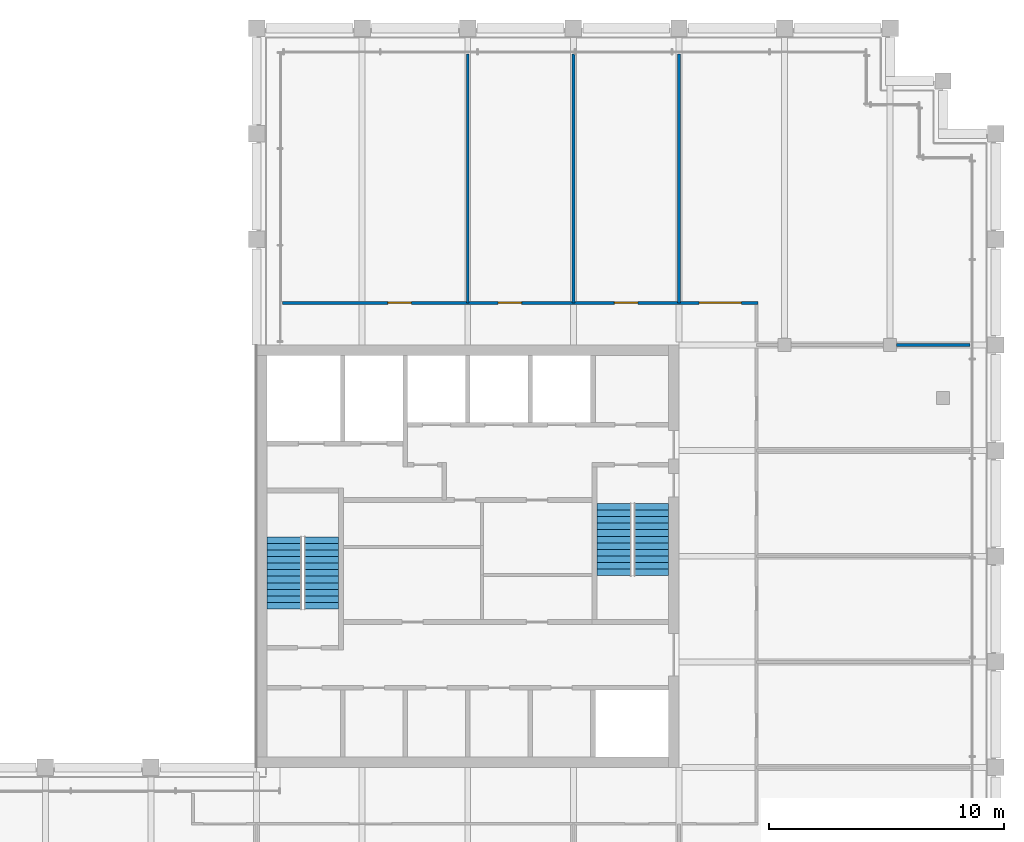
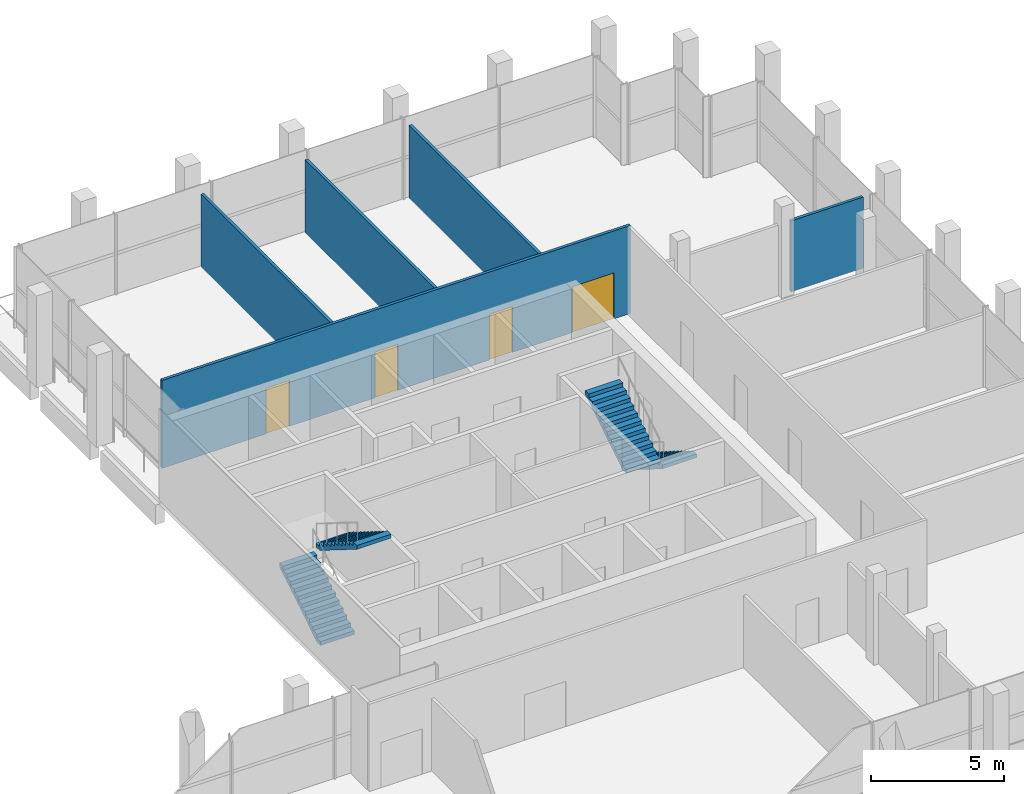
# One storey, part 16 of 17: 5 walls, 4 doors, 4 stair flights, 4 openings, 2 elements without a shape of their own.
"""IFC4 building model written with IfcOpenShell, lengths in metres."""

import ifcopenshell
import ifcopenshell.guid

model = None  # the IFC model being written
_history = None  # IfcOwnerHistory: only IFC2X3 demands one
_inside = {}  # id of a spatial element -> (the spatial element, [elements in it])
_under = {}  # id of a project, library or spatial element -> (it, [spatial elements below it])
_declared = {}  # id of a project -> (the project, [libraries it declares])
_typed = {}  # id of a type object -> (the type object, [elements of that type])
_made_of = {}  # id of a material, layer set ... -> (it, [elements and type objects made of it])


def new_model(schema):
    """Start an empty IFC model of exactly this schema.

    Asked for "IFC4X3", IfcOpenShell would pick the latest addendum, in which some entities
    have other attributes; the version numbers below select the first issue.
    IFC2X3 requires an IfcOwnerHistory on every rooted entity: one is made here for all.
    """
    global model, _history
    if schema == "IFC4X3":
        model = ifcopenshell.file(schema_version=(4, 3, 0, 0))
    else:
        model = ifcopenshell.file(schema=schema)
    _inside.clear()
    _under.clear()
    _declared.clear()
    _typed.clear()
    _made_of.clear()
    _history = None
    if model.schema == "IFC2X3":
        org = make("IfcOrganization", Name="unknown")
        user = make(
            "IfcPersonAndOrganization",
            ThePerson=make("IfcPerson", FamilyName="unknown"),
            TheOrganization=org,
        )
        app = make(
            "IfcApplication",
            ApplicationDeveloper=org,
            Version="unknown",
            ApplicationFullName="unknown",
            ApplicationIdentifier="unknown",
        )
        _history = make(
            "IfcOwnerHistory",
            OwningUser=user,
            OwningApplication=app,
            ChangeAction="ADDED",
            CreationDate=0,
        )
    return model


def make(cls, **values):
    """One entity of the class cls with the attributes given. An attribute that is None is left unset."""
    return model.create_entity(
        cls, **{name: value for name, value in values.items() if value is not None}
    )


def rooted(cls, **values):
    """An entity with a GlobalId (a new one), such as an element, a storey or a relation."""
    return make(cls, GlobalId=ifcopenshell.guid.new(), OwnerHistory=_history, **values)


def si_unit(unit_type, name, prefix=None):
    """IfcSIUnit, for example si_unit("LENGTHUNIT", "METRE", prefix="MILLI")."""
    return make("IfcSIUnit", UnitType=unit_type, Prefix=prefix, Name=name)


def assignment(units):
    """IfcUnitAssignment: the units of a project."""
    return None if units is None else make("IfcUnitAssignment", Units=units)


def point(xyz):
    """IfcCartesianPoint."""
    return None if xyz is None else make("IfcCartesianPoint", Coordinates=xyz)


def direction(xyz):
    """IfcDirection."""
    return None if xyz is None else make("IfcDirection", DirectionRatios=xyz)


def frame(location, z_axis=None, x_axis=None):
    """IfcAxis2Placement3D, a coordinate frame: its origin and axes. An axis left out is left unset."""
    return make(
        "IfcAxis2Placement3D",
        Location=point(location),
        Axis=direction(z_axis),
        RefDirection=direction(x_axis),
    )


def frame_2d(location, x_axis=None):
    """IfcAxis2Placement2D, a coordinate frame in the plane: its origin and x axis."""
    return make(
        "IfcAxis2Placement2D", Location=point(location), RefDirection=direction(x_axis)
    )


def origin():
    """The frame at (0, 0, 0) with its axes left unset."""
    return frame((0.0, 0.0, 0.0))


def place(relative_to, where):
    """IfcLocalPlacement: puts the frame where relative to a parent placement (None: the world)."""
    return make(
        "IfcLocalPlacement", PlacementRelTo=relative_to, RelativePlacement=where
    )


def context(
    kind, dimensions, precision=None, world=None, true_north=None, identifier=None
):
    """IfcGeometricRepresentationContext, for example the 3D "Model" context."""
    return make(
        "IfcGeometricRepresentationContext",
        ContextIdentifier=identifier,
        ContextType=kind,
        CoordinateSpaceDimension=dimensions,
        Precision=precision,
        WorldCoordinateSystem=world,
        TrueNorth=true_north,
    )


def subcontext(parent, identifier, kind, view, scale=None):
    """IfcGeometricRepresentationSubContext, for example "Body" below "Model"."""
    return make(
        "IfcGeometricRepresentationSubContext",
        ContextIdentifier=identifier,
        ContextType=kind,
        ParentContext=parent,
        TargetScale=scale,
        TargetView=view,
    )


def project(units=None, contexts=None):
    """IfcProject with its units and contexts."""
    return rooted(
        "IfcProject",
        Name="project",
        RepresentationContexts=contexts,
        UnitsInContext=assignment(units),
    )


def spatial(cls, under=None, at=None, **own):
    """A site, building, storey or space (cls), placed at a placement, below another one or the project."""
    s = rooted(cls, ObjectPlacement=at, **own)
    if under is not None:
        _under.setdefault(under.id(), (under, []))[1].append(s)
    return s


def polyline(points):
    """IfcPolyline through the points."""
    return make("IfcPolyline", Points=[point(p) for p in points])


def profile(cls, at=None, kind="AREA", **sizes):
    """A parametric profile (cls). Its sizes go by their IFC names, for example OverallWidth=200.0."""
    return make(cls, ProfileType=kind, Position=at, **sizes)


def rectangle(**sizes):
    """IfcRectangleProfileDef."""
    return profile("IfcRectangleProfileDef", **sizes)


def outline(outer, holes=None, kind="AREA"):
    """IfcArbitraryClosedProfileDef: a profile drawn as a closed curve; with holes, ...WithVoids."""
    if holes is None:
        return make("IfcArbitraryClosedProfileDef", ProfileType=kind, OuterCurve=outer)
    return make(
        "IfcArbitraryProfileDefWithVoids",
        ProfileType=kind,
        OuterCurve=outer,
        InnerCurves=holes,
    )


def extrude(swept, where, along, depth):
    """IfcExtrudedAreaSolid: the profile swept, set in the frame where, extruded along a direction by depth."""
    return make(
        "IfcExtrudedAreaSolid",
        SweptArea=swept,
        Position=where,
        ExtrudedDirection=direction(along),
        Depth=depth,
    )


def shape(context_of_items, identifier, shape_type, items):
    """IfcShapeRepresentation: the items that make up one representation, for example the "Body"."""
    return make(
        "IfcShapeRepresentation",
        ContextOfItems=context_of_items,
        RepresentationIdentifier=identifier,
        RepresentationType=shape_type,
        Items=items,
    )


def material(Name=None, Category=None):
    """IfcMaterial."""
    return make("IfcMaterial", Name=Name, Category=Category)


def layer(
    of_material, thickness, ventilated=None, Name=None, Category=None, Priority=None
):
    """IfcMaterialLayer: one layer of a wall or slab, of a material (None: an air gap)."""
    return make(
        "IfcMaterialLayer",
        Material=of_material,
        LayerThickness=thickness,
        IsVentilated=ventilated,
        Name=Name,
        Category=Category,
        Priority=Priority,
    )


def layer_set(layers, Name=None):
    """IfcMaterialLayerSet."""
    return make("IfcMaterialLayerSet", MaterialLayers=layers, LayerSetName=Name)


def made_of(thing, what):
    """Note that an element or type object is made of a material, layer set ...; save() writes the relation."""
    if what is not None:
        _made_of.setdefault(what.id(), (what, []))[1].append(thing)
    return thing


def type_object(cls, material=None, **own):
    """A type object (cls), such as IfcWallType, which elements share."""
    return made_of(rooted(cls, **own), material)


def element(
    cls,
    number,
    at=None,
    inside=None,
    cuts=None,
    type_object=None,
    material=None,
    context=None,
    identifier="Body",
    shape_type=None,
    held_by="IfcProductDefinitionShape",
    body=None,
    shapes=None,
    **own,
):
    """One element of the class cls, such as IfcWall. Its Tag is "e" and its number.

    at: its placement. inside: the storey or other place that contains it. cuts: it is an
    opening in that element (IfcRelVoidsElement). A single representation is given by context,
    identifier, shape_type and body (its items); several are given by shapes. held_by: the class
    of the entity that holds the representations. save() writes the other relations.
    """
    e = rooted(cls, Tag="e%d" % number, ObjectPlacement=at, **own)
    if body is not None:
        shapes = [shape(context, identifier, shape_type, body)]
    if shapes is not None:
        e.Representation = make(held_by, Representations=shapes)
    if inside is not None:
        _inside.setdefault(inside.id(), (inside, []))[1].append(e)
    if cuts is not None:
        rooted(
            "IfcRelVoidsElement", RelatingBuildingElement=cuts, RelatedOpeningElement=e
        )
    if type_object is not None:
        _typed.setdefault(type_object.id(), (type_object, []))[1].append(e)
    return made_of(e, material)


def fill(opening, filler):
    """IfcRelFillsElement: the door or window that sits in an opening."""
    return rooted(
        "IfcRelFillsElement",
        RelatingOpeningElement=opening,
        RelatedBuildingElement=filler,
    )


def aggregate(whole, parts):
    """IfcRelAggregates: a whole, such as a stair, and the parts it consists of."""
    return rooted("IfcRelAggregates", RelatingObject=whole, RelatedObjects=parts)


def save(model, path):
    """Write the relations noted so far, then the file.

    IfcRelAggregates (storeys below a building ...), IfcRelContainedInSpatialStructure (elements
    in a storey), IfcRelDefinesByType, IfcRelAssociatesMaterial and IfcRelDeclares: one each for
    every whole, place, type object, material and project.
    """
    for whole, parts in _under.values():
        aggregate(whole, parts)
    for where, things in _inside.values():
        rooted(
            "IfcRelContainedInSpatialStructure",
            RelatedElements=things,
            RelatingStructure=where,
        )
    for kind, things in _typed.values():
        rooted("IfcRelDefinesByType", RelatedObjects=things, RelatingType=kind)
    for what, things in _made_of.values():
        rooted("IfcRelAssociatesMaterial", RelatedObjects=things, RelatingMaterial=what)
    for by, libraries in _declared.values():
        rooted("IfcRelDeclares", RelatingContext=by, RelatedDefinitions=libraries)
    model.write(path)


model = new_model("IFC4")

# Units and contexts
model_context = context("Model", 3, precision=1e-05, world=origin(), true_north=direction((0.0, 1.0)))
body_context = subcontext(model_context, "Body", "Model", "MODEL_VIEW")
ifc_project = project(units=[si_unit("LENGTHUNIT", "METRE"), si_unit("AREAUNIT", "SQUARE_METRE"), si_unit("VOLUMEUNIT", "CUBIC_METRE"), si_unit("PLANEANGLEUNIT", "RADIAN"), si_unit("MASSUNIT", "GRAM", prefix="KILO")], contexts=[model_context])

# Site, building, storey
site_placement = place(None, origin())
site = spatial("IfcSite", under=ifc_project, at=site_placement, CompositionType="ELEMENT")
building_placement = place(site_placement, origin())
building = spatial("IfcBuilding", under=site, at=building_placement, Name="Altepetl Exchange Towers", CompositionType="ELEMENT")
storey_placement = place(building_placement, frame((0.0, 0.0, 251.0)))
storey = spatial("IfcBuildingStorey", under=building, at=storey_placement, Name="L64", CompositionType="ELEMENT", Elevation=251.0)

# Walls
ifc_material_1 = material(Name="Timber panels on aluminium track", Category="wood")
ifc_layer_1 = layer(ifc_material_1, 0.125)
ifc_layer_set_1 = layer_set([ifc_layer_1], Name="Timber panels on aluminium track")
wall_type_1 = type_object("IfcWallType", Name="Operable acoustic partition 125", PredefinedType="MOVABLE", material=ifc_layer_set_1)
wall_1_placement = place(storey_placement, frame((54.0, 60.300048828125, 0.0), z_axis=(0.0, 0.0, 1.0), x_axis=(0.0, 1.0, 0.0)))
element("IfcWall", 1, at=wall_1_placement, inside=storey, type_object=wall_type_1, Name="wall:A:L64:P14", PredefinedType="MOVABLE", context=body_context, shape_type="SweptSolid", body=[
    extrude(rectangle(XDim=10.599853515625, YDim=0.125, at=frame_2d((5.2998046875, 0.0))), origin(), (0.0, 0.0, 1.0), 3.341064453125),
])
ifc_material_2 = material(Name="Gypsum board on steel studs", Category="steel")
ifc_layer_2 = layer(ifc_material_2, 0.125)
ifc_layer_set_2 = layer_set([ifc_layer_2], Name="Gypsum board on steel studs")
wall_type_2 = type_object("IfcWallType", Name="Partition 125 gypsum board on steel studs", PredefinedType="PARTITIONING", material=ifc_layer_set_2)
wall_2_placement = place(storey_placement, frame((67.77490234375, 58.5, 0.0)))
element("IfcWall", 2, at=wall_2_placement, inside=storey, type_object=wall_type_2, Name="wall:A:L64:P08", PredefinedType="PARTITIONING", context=body_context, shape_type="SweptSolid", body=[
    extrude(rectangle(XDim=3.125, YDim=0.125, at=frame_2d((1.5625, 0.0))), origin(), (0.0, 0.0, 1.0), 3.2509765625),
])

# Wall, openings, doors
wall_3_placement = place(storey_placement, frame((41.60009765625, 60.300048828125, 0.0)))
wall_3 = element("IfcWall", 3, at=wall_3_placement, inside=storey, type_object=wall_type_2, Name="wall:A:L64:P09", PredefinedType="PARTITIONING", context=body_context, shape_type="SweptSolid", body=[
    extrude(rectangle(XDim=20.262451171875, YDim=0.125, at=frame_2d((10.13134765625, 0.0))), origin(), (0.0, 0.0, 1.0), 4.02490234375),
])
opening_1_placement = place(wall_3_placement, frame((17.7548828125, 0.0, 0.0)))
opening_1 = element("IfcOpeningElement", 4, at=opening_1_placement, cuts=wall_3, Name="Opening L64.A09", PredefinedType="OPENING", context=body_context, shape_type="SweptSolid", body=[
    extrude(rectangle(XDim=1.800048828125, YDim=2.10009765625, at=frame_2d((0.89990234375, 1.050048828125))), frame((0.0, 0.072509765625, 0.0), z_axis=(0.0, -1.0, 0.0), x_axis=(1.0, 0.0, 0.0)), (0.0, 0.0, 1.0), 0.14501953125),
])
opening_2_placement = place(wall_3_placement, frame((14.14990234375, 0.0, 0.0)))
opening_2 = element("IfcOpeningElement", 5, at=opening_2_placement, cuts=wall_3, Name="Opening L64.A10", PredefinedType="OPENING", context=body_context, shape_type="SweptSolid", body=[
    extrude(rectangle(XDim=1.0, YDim=2.10009765625, at=frame_2d((0.5, 1.050048828125))), frame((0.0, 0.072509765625, 0.0), z_axis=(0.0, -1.0, 0.0), x_axis=(1.0, 0.0, 0.0)), (0.0, 0.0, 1.0), 0.14501953125),
])
opening_3_placement = place(wall_3_placement, frame((9.195068359375, 0.0, 0.0)))
opening_3 = element("IfcOpeningElement", 6, at=opening_3_placement, cuts=wall_3, Name="Opening L64.A11", PredefinedType="OPENING", context=body_context, shape_type="SweptSolid", body=[
    extrude(rectangle(XDim=1.0, YDim=2.10009765625, at=frame_2d((0.5, 1.050048828125))), frame((0.0, 0.072509765625, 0.0), z_axis=(0.0, -1.0, 0.0), x_axis=(1.0, 0.0, 0.0)), (0.0, 0.0, 1.0), 0.14501953125),
])
opening_4_placement = place(wall_3_placement, frame((4.5, 0.0, 0.0)))
opening_4 = element("IfcOpeningElement", 7, at=opening_4_placement, cuts=wall_3, Name="Opening L64.A12", PredefinedType="OPENING", context=body_context, shape_type="SweptSolid", body=[
    extrude(rectangle(XDim=1.0, YDim=2.10009765625, at=frame_2d((0.5, 1.050048828125))), frame((0.0, 0.072509765625, 0.0), z_axis=(0.0, -1.0, 0.0), x_axis=(1.0, 0.0, 0.0)), (0.0, 0.0, 1.0), 0.14501953125),
])
ifc_material_3 = material(Name="Steel and timber fire door", Category="steel")
door_type_1 = type_object("IfcDoorType", Name="Fire door 1000 x 2100 single leaf", OperationType="SINGLE_SWING_LEFT", PredefinedType="DOOR", material=ifc_material_3)
door_1_placement = place(opening_2_placement, origin())
door_1 = element("IfcDoor", 8, at=door_1_placement, inside=storey, type_object=door_type_1, Name="door:A:L64:10", OperationType="SINGLE_SWING_LEFT", OverallHeight=2.10009765625, OverallWidth=1.0, PredefinedType="DOOR", context=body_context, shape_type="SweptSolid", body=[
    extrude(rectangle(XDim=1.0, YDim=2.10009765625, at=frame_2d((0.5, 1.050048828125))), frame((0.0, 0.02490234375, 0.0), z_axis=(0.0, -1.0, 0.0), x_axis=(1.0, 0.0, 0.0)), (0.0, 0.0, 1.0), 0.050048828125),
])
fill(opening_2, door_1)
door_2_placement = place(opening_3_placement, origin())
door_2 = element("IfcDoor", 9, at=door_2_placement, inside=storey, type_object=door_type_1, Name="door:A:L64:11", OperationType="SINGLE_SWING_RIGHT", OverallHeight=2.10009765625, OverallWidth=1.0, PredefinedType="DOOR", context=body_context, shape_type="SweptSolid", body=[
    extrude(rectangle(XDim=1.0, YDim=2.10009765625, at=frame_2d((0.5, 1.050048828125))), frame((0.0, 0.02490234375, 0.0), z_axis=(0.0, -1.0, 0.0), x_axis=(1.0, 0.0, 0.0)), (0.0, 0.0, 1.0), 0.050048828125),
])
fill(opening_3, door_2)
door_3_placement = place(opening_4_placement, origin())
door_3 = element("IfcDoor", 10, at=door_3_placement, inside=storey, type_object=door_type_1, Name="door:A:L64:12", OperationType="SINGLE_SWING_LEFT", OverallHeight=2.10009765625, OverallWidth=1.0, PredefinedType="DOOR", context=body_context, shape_type="SweptSolid", body=[
    extrude(rectangle(XDim=1.0, YDim=2.10009765625, at=frame_2d((0.5, 1.050048828125))), frame((0.0, 0.02490234375, 0.0), z_axis=(0.0, -1.0, 0.0), x_axis=(1.0, 0.0, 0.0)), (0.0, 0.0, 1.0), 0.050048828125),
])
fill(opening_4, door_3)
door_type_2 = type_object("IfcDoorType", Name="Fire door 1800 x 2100 double leaf", OperationType="DOUBLE_DOOR_SINGLE_SWING", PredefinedType="DOOR", material=ifc_material_3)
door_4_placement = place(opening_1_placement, origin())
door_4 = element("IfcDoor", 11, at=door_4_placement, inside=storey, type_object=door_type_2, Name="door:A:L64:09", OperationType="DOUBLE_DOOR_SINGLE_SWING", OverallHeight=2.10009765625, OverallWidth=1.800048828125, PredefinedType="DOOR", context=body_context, shape_type="SweptSolid", body=[
    extrude(rectangle(XDim=1.800048828125, YDim=2.10009765625, at=frame_2d((0.89990234375, 1.050048828125))), frame((0.0, 0.02490234375, 0.0), z_axis=(0.0, -1.0, 0.0), x_axis=(1.0, 0.0, 0.0)), (0.0, 0.0, 1.0), 0.050048828125),
])
fill(opening_1, door_4)

# Walls
for number, where, z_axis, x_axis, name in (
    (12, (49.5, 60.300048828125, 0.0), (0.0, 0.0, 1.0), (0.0, 1.0, 0.0), "wall:A:L64:P12"),
    (13, (58.5, 60.300048828125, 0.0), (0.0, 0.0, 1.0), (0.0, 1.0, 0.0), "wall:A:L64:P18"),
):
    element("IfcWall", number, at=place(storey_placement, frame(where, z_axis=z_axis, x_axis=x_axis)), inside=storey, type_object=wall_type_2, Name=name, PredefinedType="PARTITIONING", context=body_context, shape_type="SweptSolid", body=[
        extrude(rectangle(XDim=10.599853515625, YDim=0.125, at=frame_2d((5.2998046875, 0.0))), origin(), (0.0, 0.0, 1.0), 3.341064453125),
    ])

# Stair, stair flights
ifc_material_4 = material(Name="Concrete C40/50", Category="concrete")
stair_type = type_object("IfcStairType", Name="Exit stair 1475 flights dogleg", PredefinedType="HALF_TURN_STAIR", material=ifc_material_4)
stair_1_placement = place(storey_placement, origin())
stair_1 = element("IfcStair", 14, at=stair_1_placement, inside=storey, type_object=stair_type, Name="Exit stair 1", PredefinedType="HALF_TURN_STAIR")
stair_flight_type = type_object("IfcStairFlightType", Name="Stair flight 1475 wide", PredefinedType="STRAIGHT", material=ifc_material_4)
stair_flight_1_placement = place(storey_placement, frame((41.6875, 47.25, 0.0), z_axis=(0.0, 0.0, 1.0), x_axis=(0.0, 1.0, 0.0)))
stair_flight_1 = element("IfcStairFlight", 15, at=stair_flight_1_placement, type_object=stair_flight_type, Name="ST-A1g flight 1", NumberOfRisers=12, NumberOfTreads=11, PredefinedType="STRAIGHT", RiserHeight=0.175, TreadLength=0.28, context=body_context, shape_type="SweptSolid", body=[
    extrude(outline(polyline([(0.0, 0.0), (0.0, 0.175048828125), (0.280029296875, 0.175048828125), (0.280029296875, 0.35009765625), (0.56005859375, 0.35009765625), (0.56005859375, 0.52490234375), (0.840087890625, 0.52490234375), (0.840087890625, 0.699951171875), (1.1201171875, 0.699951171875), (1.1201171875, 0.875), (1.39990234375, 0.875), (1.39990234375, 1.050048828125), (1.679931640625, 1.050048828125), (1.679931640625, 1.22509765625), (1.9599609375, 1.22509765625), (1.9599609375, 1.39990234375), (2.239990234375, 1.39990234375), (2.239990234375, 1.574951171875), (2.52001953125, 1.574951171875), (2.52001953125, 1.75), (2.800048828125, 1.75), (2.800048828125, 1.925048828125), (3.080078125, 1.925048828125), (3.080078125, 2.10009765625), (3.080078125, 1.748291015625), (0.28271484375, 0.0), (0.0, 0.0)])), frame((0.0, 0.737548828125, 0.0), z_axis=(0.0, -1.0, 0.0), x_axis=(1.0, 0.0, 0.0)), (0.0, 0.0, 1.0), 1.47509765625),
])
stair_flight_2_placement = place(storey_placement, frame((43.262451171875, 50.330078125, 2.10009765625), z_axis=(0.0, 0.0, 1.0), x_axis=(0.0, -1.0, 0.0)))
stair_flight_2 = element("IfcStairFlight", 16, at=stair_flight_2_placement, type_object=stair_flight_type, Name="ST-A1g flight 2", NumberOfRisers=12, NumberOfTreads=11, PredefinedType="STRAIGHT", RiserHeight=0.175, TreadLength=0.28, context=body_context, shape_type="SweptSolid", body=[
    extrude(outline(polyline([(0.0, 0.0), (0.0, 0.175048828125), (0.280029296875, 0.175048828125), (0.280029296875, 0.35009765625), (0.56005859375, 0.35009765625), (0.56005859375, 0.52490234375), (0.840087890625, 0.52490234375), (0.840087890625, 0.699951171875), (1.1201171875, 0.699951171875), (1.1201171875, 0.875), (1.39990234375, 0.875), (1.39990234375, 1.050048828125), (1.679931640625, 1.050048828125), (1.679931640625, 1.22509765625), (1.9599609375, 1.22509765625), (1.9599609375, 1.39990234375), (2.239990234375, 1.39990234375), (2.239990234375, 1.574951171875), (2.52001953125, 1.574951171875), (2.52001953125, 1.75), (2.800048828125, 1.75), (2.800048828125, 1.925048828125), (3.080078125, 1.925048828125), (3.080078125, 2.10009765625), (3.080078125, 1.748291015625), (0.28271484375, 0.0), (0.0, 0.0)])), frame((0.0, 0.737548828125, 0.0), z_axis=(0.0, -1.0, 0.0), x_axis=(1.0, 0.0, 0.0)), (0.0, 0.0, 1.0), 1.47509765625),
])
aggregate(stair_1, [stair_flight_1, stair_flight_2])

stair_2_placement = place(storey_placement, origin())
stair_2 = element("IfcStair", 17, at=stair_2_placement, inside=storey, type_object=stair_type, Name="Exit stair 2", PredefinedType="HALF_TURN_STAIR")
stair_flight_3_placement = place(storey_placement, frame((57.3125, 51.75, 0.0), z_axis=(0.0, 0.0, 1.0), x_axis=(0.0, -1.0, 0.0)))
stair_flight_3 = element("IfcStairFlight", 18, at=stair_flight_3_placement, type_object=stair_flight_type, Name="ST-A2g flight 1", NumberOfRisers=12, NumberOfTreads=11, PredefinedType="STRAIGHT", RiserHeight=0.175, TreadLength=0.28, context=body_context, shape_type="SweptSolid", body=[
    extrude(outline(polyline([(0.0, 0.0), (0.0, 0.175048828125), (0.280029296875, 0.175048828125), (0.280029296875, 0.35009765625), (0.56005859375, 0.35009765625), (0.56005859375, 0.52490234375), (0.840087890625, 0.52490234375), (0.840087890625, 0.699951171875), (1.1201171875, 0.699951171875), (1.1201171875, 0.875), (1.39990234375, 0.875), (1.39990234375, 1.050048828125), (1.679931640625, 1.050048828125), (1.679931640625, 1.22509765625), (1.9599609375, 1.22509765625), (1.9599609375, 1.39990234375), (2.239990234375, 1.39990234375), (2.239990234375, 1.574951171875), (2.52001953125, 1.574951171875), (2.52001953125, 1.75), (2.800048828125, 1.75), (2.800048828125, 1.925048828125), (3.080078125, 1.925048828125), (3.080078125, 2.10009765625), (3.080078125, 1.748291015625), (0.28271484375, 0.0), (0.0, 0.0)])), frame((0.0, 0.737548828125, 0.0), z_axis=(0.0, -1.0, 0.0), x_axis=(1.0, 0.0, 0.0)), (0.0, 0.0, 1.0), 1.47509765625),
])
stair_flight_4_placement = place(storey_placement, frame((55.737548828125, 48.669921875, 2.10009765625), z_axis=(0.0, 0.0, 1.0), x_axis=(0.0, 1.0, 0.0)))
stair_flight_4 = element("IfcStairFlight", 19, at=stair_flight_4_placement, type_object=stair_flight_type, Name="ST-A2g flight 2", NumberOfRisers=12, NumberOfTreads=11, PredefinedType="STRAIGHT", RiserHeight=0.175, TreadLength=0.28, context=body_context, shape_type="SweptSolid", body=[
    extrude(outline(polyline([(0.0, 0.0), (0.0, 0.175048828125), (0.280029296875, 0.175048828125), (0.280029296875, 0.35009765625), (0.56005859375, 0.35009765625), (0.56005859375, 0.52490234375), (0.840087890625, 0.52490234375), (0.840087890625, 0.699951171875), (1.1201171875, 0.699951171875), (1.1201171875, 0.875), (1.39990234375, 0.875), (1.39990234375, 1.050048828125), (1.679931640625, 1.050048828125), (1.679931640625, 1.22509765625), (1.9599609375, 1.22509765625), (1.9599609375, 1.39990234375), (2.239990234375, 1.39990234375), (2.239990234375, 1.574951171875), (2.52001953125, 1.574951171875), (2.52001953125, 1.75), (2.800048828125, 1.75), (2.800048828125, 1.925048828125), (3.080078125, 1.925048828125), (3.080078125, 2.10009765625), (3.080078125, 1.748291015625), (0.28271484375, 0.0), (0.0, 0.0)])), frame((0.0, 0.737548828125, 0.0), z_axis=(0.0, -1.0, 0.0), x_axis=(1.0, 0.0, 0.0)), (0.0, 0.0, 1.0), 1.47509765625),
])
aggregate(stair_2, [stair_flight_3, stair_flight_4])

save(model, "model.ifc")
